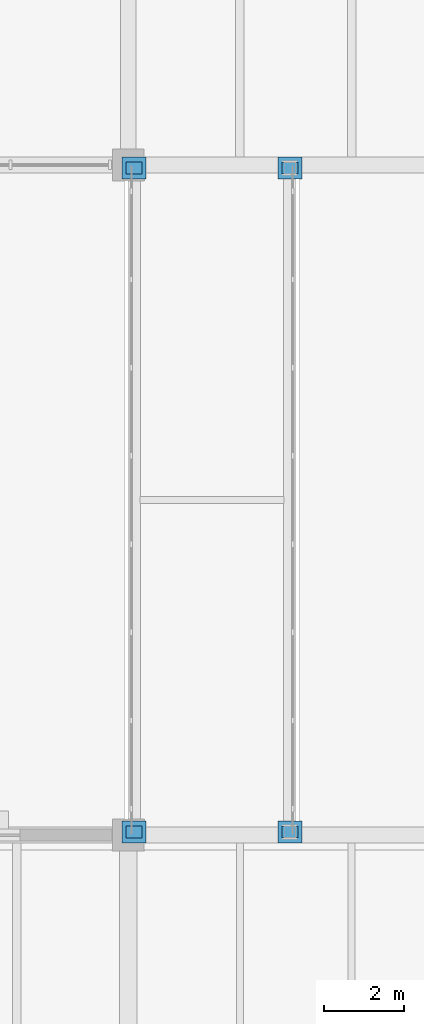
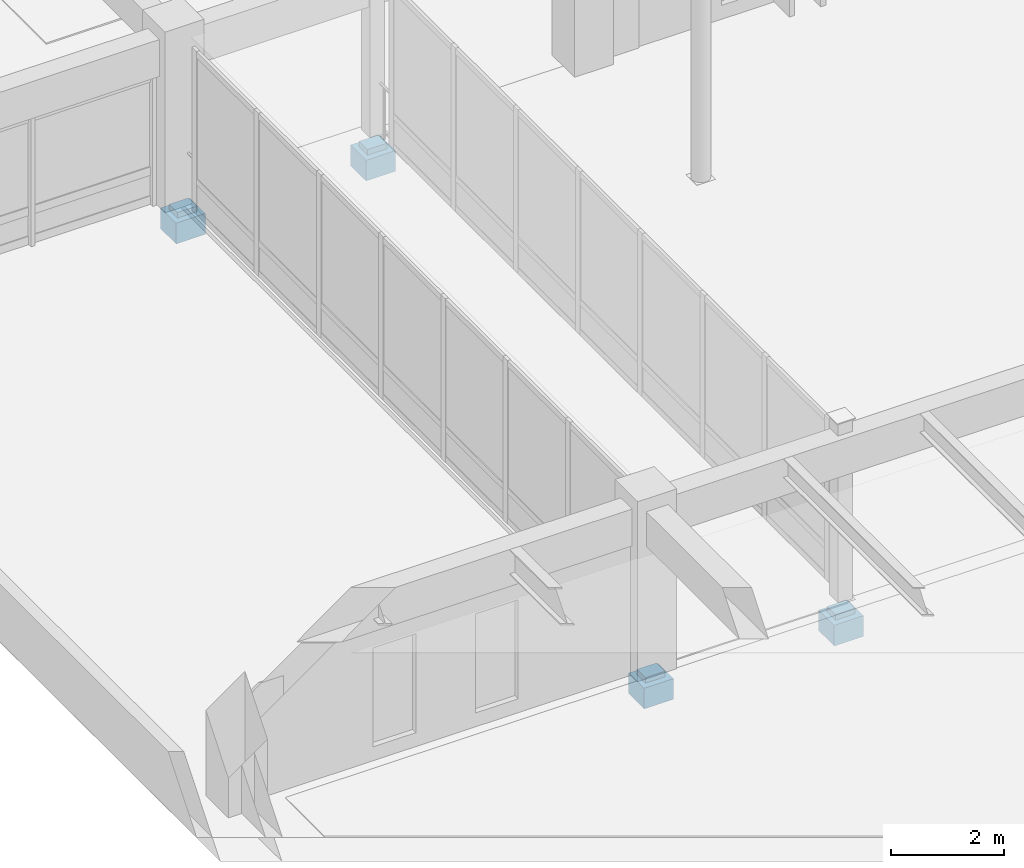
# One storey, part 104 of 135: 8 discrete accessories.
"""IFC4 building model written with IfcOpenShell, lengths in metres."""

from ifc_helpers import new_model, si_unit, direction, frame, origin, origin_2d, place, context, subcontext, project, spatial, rectangle, extrude, material, type_object, element, save


model = new_model("IFC4")

# Units and contexts
model_context = context("Model", 3, precision=1e-05, world=origin(), true_north=direction((0.0, 1.0)))
body_context = subcontext(model_context, "Body", "Model", "MODEL_VIEW")
ifc_project = project(units=[si_unit("LENGTHUNIT", "METRE"), si_unit("AREAUNIT", "SQUARE_METRE"), si_unit("VOLUMEUNIT", "CUBIC_METRE"), si_unit("PLANEANGLEUNIT", "RADIAN"), si_unit("MASSUNIT", "GRAM", prefix="KILO")], contexts=[model_context])

# Site, building, storey
site_placement = place(None, origin())
site = spatial("IfcSite", under=ifc_project, at=site_placement, CompositionType="ELEMENT")
building_placement = place(site_placement, origin())
building = spatial("IfcBuilding", under=site, at=building_placement, Name="Cumbredor Promenade Congress Hotel", CompositionType="ELEMENT")
storey_placement = place(building_placement, origin())
storey = spatial("IfcBuildingStorey", under=building, at=storey_placement, Name="L00", CompositionType="ELEMENT", Elevation=0.0)

# Discrete accessories
ifc_material_1 = material(Name="Concrete C50/60", Category="concrete")
discrete_accessory_type_1 = type_object("IfcDiscreteAccessoryType", Name="Bridge Seat Corbel RC 600x550", PredefinedType="BRACKET", material=ifc_material_1)
for number, where, z_axis, x_axis, name in (
    (1, (151.35009765625, 67.280029296875, -0.7900390625), (0.0, 0.0, 1.0), (0.0, 1.0, 0.0), "L00 East Ballroom-to-Forum Glazed Bridge 550mm RC Bridge Seat Corbel 1"),
    (2, (155.25, 67.280029296875, -0.7900390625), (0.0, 0.0, 1.0), (0.0, 1.0, 0.0), "L00 East Ballroom-to-Forum Glazed Bridge 550mm RC Bridge Seat Corbel 2"),
    (3, (151.35009765625, 83.919921875, -0.7900390625), (0.0, 0.0, 1.0), (0.0, 1.0, 0.0), "L00 East Ballroom-to-Forum Glazed Bridge 550mm RC Bridge Seat Corbel 3"),
    (4, (155.25, 83.919921875, -0.7900390625), (0.0, 0.0, 1.0), (0.0, 1.0, 0.0), "L00 East Ballroom-to-Forum Glazed Bridge 550mm RC Bridge Seat Corbel 4"),
):
    element("IfcDiscreteAccessory", number, at=place(storey_placement, frame(where, z_axis=z_axis, x_axis=x_axis)), inside=storey, type_object=discrete_accessory_type_1, Name=name, PredefinedType="BRACKET", context=body_context, shape_type="SweptSolid", body=[
        extrude(rectangle(XDim=0.550048828125, YDim=0.60009765625, at=origin_2d()), origin(), (0.0, 0.0, 1.0), 0.449951171875),
    ])
ifc_material_2 = material(Name="Steel ASTM A572 Grade 50", Category="steel")
discrete_accessory_type_2 = type_object("IfcDiscreteAccessoryType", Name="Bridge Unguided PTFE Sliding Bearing BRG-01", PredefinedType="SHOE", material=ifc_material_2)
for number, where, z_axis, x_axis, name in (
    (5, (151.35009765625, 67.280029296875, -0.340087890625), (0.0, 0.0, 1.0), (0.0, 1.0, 0.0), "L00 East Ballroom-to-Forum Glazed Bridge Unguided PTFE Sliding Bearing BRG-01"),
    (6, (155.25, 67.280029296875, -0.340087890625), (0.0, 0.0, 1.0), (0.0, 1.0, 0.0), "L00 East Ballroom-to-Forum Glazed Bridge Unguided PTFE Sliding Bearing BRG-01"),
    (7, (151.35009765625, 83.919921875, -0.340087890625), (0.0, 0.0, 1.0), (0.0, 1.0, 0.0), "L00 East Ballroom-to-Forum Glazed Bridge Unguided PTFE Sliding Bearing BRG-01"),
    (8, (155.25, 83.919921875, -0.340087890625), (0.0, 0.0, 1.0), (0.0, 1.0, 0.0), "L00 East Ballroom-to-Forum Glazed Bridge Unguided PTFE Sliding Bearing BRG-01"),
):
    element("IfcDiscreteAccessory", number, at=place(storey_placement, frame(where, z_axis=z_axis, x_axis=x_axis)), inside=storey, type_object=discrete_accessory_type_2, Name=name, PredefinedType="SHOE", context=body_context, shape_type="SweptSolid", body=[
        extrude(rectangle(XDim=0.300048828125, YDim=0.39990234375, at=origin_2d()), origin(), (0.0, 0.0, 1.0), 0.1201171875),
    ])

save(model, "model.ifc")
